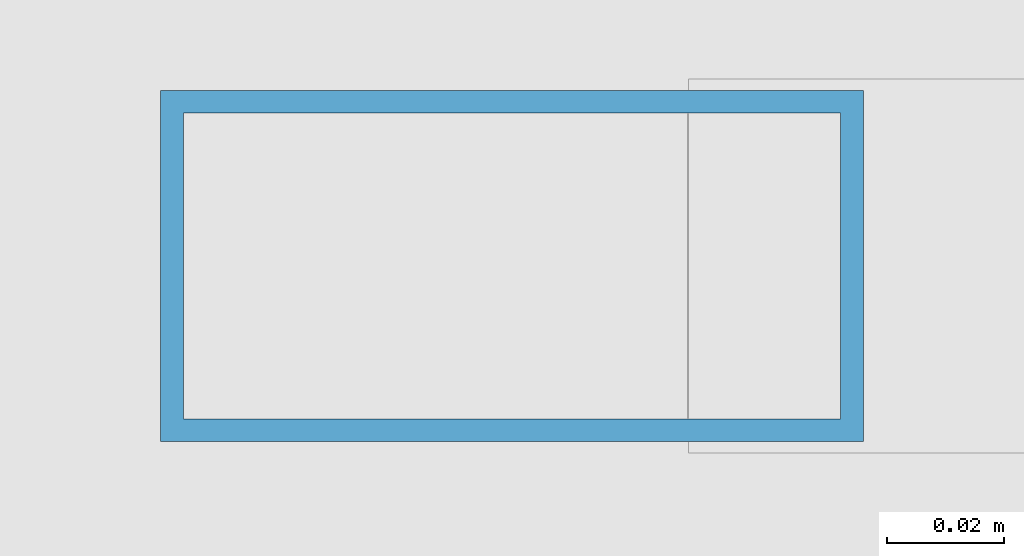
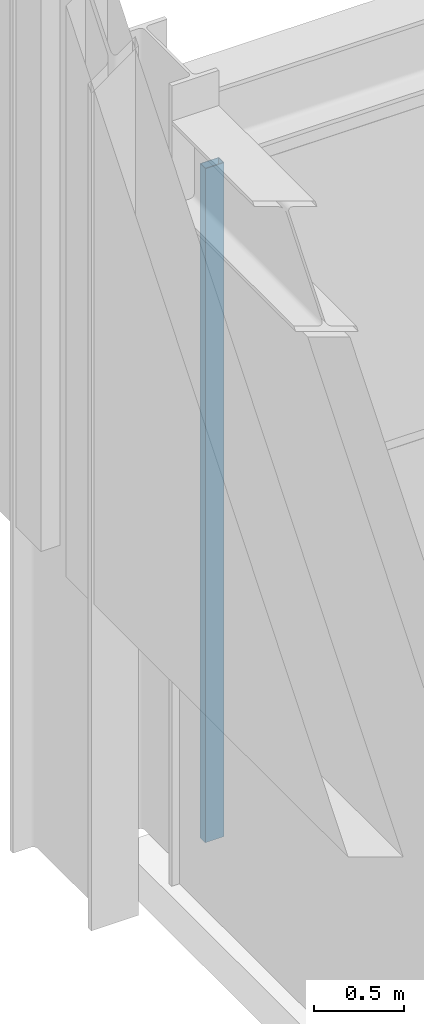
# One storey, part 130 of 239: 1 member, 1 element without a shape of its own.
"""IFC4 building model written with IfcOpenShell, lengths in metres."""

import ifcopenshell
import ifcopenshell.guid

model = None  # the IFC model being written
_history = None  # IfcOwnerHistory: only IFC2X3 demands one
_inside = {}  # id of a spatial element -> (the spatial element, [elements in it])
_under = {}  # id of a project, library or spatial element -> (it, [spatial elements below it])
_declared = {}  # id of a project -> (the project, [libraries it declares])
_typed = {}  # id of a type object -> (the type object, [elements of that type])
_made_of = {}  # id of a material, layer set ... -> (it, [elements and type objects made of it])


def new_model(schema):
    """Start an empty IFC model of exactly this schema.

    Asked for "IFC4X3", IfcOpenShell would pick the latest addendum, in which some entities
    have other attributes; the version numbers below select the first issue.
    IFC2X3 requires an IfcOwnerHistory on every rooted entity: one is made here for all.
    """
    global model, _history
    if schema == "IFC4X3":
        model = ifcopenshell.file(schema_version=(4, 3, 0, 0))
    else:
        model = ifcopenshell.file(schema=schema)
    _inside.clear()
    _under.clear()
    _declared.clear()
    _typed.clear()
    _made_of.clear()
    _history = None
    if model.schema == "IFC2X3":
        org = make("IfcOrganization", Name="unknown")
        user = make(
            "IfcPersonAndOrganization",
            ThePerson=make("IfcPerson", FamilyName="unknown"),
            TheOrganization=org,
        )
        app = make(
            "IfcApplication",
            ApplicationDeveloper=org,
            Version="unknown",
            ApplicationFullName="unknown",
            ApplicationIdentifier="unknown",
        )
        _history = make(
            "IfcOwnerHistory",
            OwningUser=user,
            OwningApplication=app,
            ChangeAction="ADDED",
            CreationDate=0,
        )
    return model


def make(cls, **values):
    """One entity of the class cls with the attributes given. An attribute that is None is left unset."""
    return model.create_entity(
        cls, **{name: value for name, value in values.items() if value is not None}
    )


def rooted(cls, **values):
    """An entity with a GlobalId (a new one), such as an element, a storey or a relation."""
    return make(cls, GlobalId=ifcopenshell.guid.new(), OwnerHistory=_history, **values)


def si_unit(unit_type, name, prefix=None):
    """IfcSIUnit, for example si_unit("LENGTHUNIT", "METRE", prefix="MILLI")."""
    return make("IfcSIUnit", UnitType=unit_type, Prefix=prefix, Name=name)


def assignment(units):
    """IfcUnitAssignment: the units of a project."""
    return None if units is None else make("IfcUnitAssignment", Units=units)


def point(xyz):
    """IfcCartesianPoint."""
    return None if xyz is None else make("IfcCartesianPoint", Coordinates=xyz)


def direction(xyz):
    """IfcDirection."""
    return None if xyz is None else make("IfcDirection", DirectionRatios=xyz)


def frame(location, z_axis=None, x_axis=None):
    """IfcAxis2Placement3D, a coordinate frame: its origin and axes. An axis left out is left unset."""
    return make(
        "IfcAxis2Placement3D",
        Location=point(location),
        Axis=direction(z_axis),
        RefDirection=direction(x_axis),
    )


def frame_2d(location, x_axis=None):
    """IfcAxis2Placement2D, a coordinate frame in the plane: its origin and x axis."""
    return make(
        "IfcAxis2Placement2D", Location=point(location), RefDirection=direction(x_axis)
    )


def origin():
    """The frame at (0, 0, 0) with its axes left unset."""
    return frame((0.0, 0.0, 0.0))


def origin_2d():
    """The frame at (0, 0) in the plane with its x axis left unset."""
    return frame_2d((0.0, 0.0))


def place(relative_to, where):
    """IfcLocalPlacement: puts the frame where relative to a parent placement (None: the world)."""
    return make(
        "IfcLocalPlacement", PlacementRelTo=relative_to, RelativePlacement=where
    )


def context(
    kind, dimensions, precision=None, world=None, true_north=None, identifier=None
):
    """IfcGeometricRepresentationContext, for example the 3D "Model" context."""
    return make(
        "IfcGeometricRepresentationContext",
        ContextIdentifier=identifier,
        ContextType=kind,
        CoordinateSpaceDimension=dimensions,
        Precision=precision,
        WorldCoordinateSystem=world,
        TrueNorth=true_north,
    )


def subcontext(parent, identifier, kind, view, scale=None):
    """IfcGeometricRepresentationSubContext, for example "Body" below "Model"."""
    return make(
        "IfcGeometricRepresentationSubContext",
        ContextIdentifier=identifier,
        ContextType=kind,
        ParentContext=parent,
        TargetScale=scale,
        TargetView=view,
    )


def project(units=None, contexts=None):
    """IfcProject with its units and contexts."""
    return rooted(
        "IfcProject",
        Name="project",
        RepresentationContexts=contexts,
        UnitsInContext=assignment(units),
    )


def spatial(cls, under=None, at=None, **own):
    """A site, building, storey or space (cls), placed at a placement, below another one or the project."""
    s = rooted(cls, ObjectPlacement=at, **own)
    if under is not None:
        _under.setdefault(under.id(), (under, []))[1].append(s)
    return s


def profile(cls, at=None, kind="AREA", **sizes):
    """A parametric profile (cls). Its sizes go by their IFC names, for example OverallWidth=200.0."""
    return make(cls, ProfileType=kind, Position=at, **sizes)


def hollow_rectangle(**sizes):
    """IfcRectangleHollowProfileDef."""
    return profile("IfcRectangleHollowProfileDef", **sizes)


def extrude(swept, where, along, depth):
    """IfcExtrudedAreaSolid: the profile swept, set in the frame where, extruded along a direction by depth."""
    return make(
        "IfcExtrudedAreaSolid",
        SweptArea=swept,
        Position=where,
        ExtrudedDirection=direction(along),
        Depth=depth,
    )


def shape(context_of_items, identifier, shape_type, items):
    """IfcShapeRepresentation: the items that make up one representation, for example the "Body"."""
    return make(
        "IfcShapeRepresentation",
        ContextOfItems=context_of_items,
        RepresentationIdentifier=identifier,
        RepresentationType=shape_type,
        Items=items,
    )


def material(Name=None, Category=None):
    """IfcMaterial."""
    return make("IfcMaterial", Name=Name, Category=Category)


def material_profile(
    of_material, cross_section, Name=None, Category=None, Priority=None
):
    """IfcMaterialProfile: a cross section and its material."""
    return make(
        "IfcMaterialProfile",
        Name=Name,
        Material=of_material,
        Profile=cross_section,
        Priority=Priority,
        Category=Category,
    )


def profile_set(profiles, Name=None, composite=None):
    """IfcMaterialProfileSet."""
    return make(
        "IfcMaterialProfileSet",
        Name=Name,
        MaterialProfiles=profiles,
        CompositeProfile=composite,
    )


def made_of(thing, what):
    """Note that an element or type object is made of a material, layer set ...; save() writes the relation."""
    if what is not None:
        _made_of.setdefault(what.id(), (what, []))[1].append(thing)
    return thing


def type_object(cls, material=None, **own):
    """A type object (cls), such as IfcWallType, which elements share."""
    return made_of(rooted(cls, **own), material)


def element(
    cls,
    number,
    at=None,
    inside=None,
    cuts=None,
    type_object=None,
    material=None,
    context=None,
    identifier="Body",
    shape_type=None,
    held_by="IfcProductDefinitionShape",
    body=None,
    shapes=None,
    **own,
):
    """One element of the class cls, such as IfcWall. Its Tag is "e" and its number.

    at: its placement. inside: the storey or other place that contains it. cuts: it is an
    opening in that element (IfcRelVoidsElement). A single representation is given by context,
    identifier, shape_type and body (its items); several are given by shapes. held_by: the class
    of the entity that holds the representations. save() writes the other relations.
    """
    e = rooted(cls, Tag="e%d" % number, ObjectPlacement=at, **own)
    if body is not None:
        shapes = [shape(context, identifier, shape_type, body)]
    if shapes is not None:
        e.Representation = make(held_by, Representations=shapes)
    if inside is not None:
        _inside.setdefault(inside.id(), (inside, []))[1].append(e)
    if cuts is not None:
        rooted(
            "IfcRelVoidsElement", RelatingBuildingElement=cuts, RelatedOpeningElement=e
        )
    if type_object is not None:
        _typed.setdefault(type_object.id(), (type_object, []))[1].append(e)
    return made_of(e, material)


def aggregate(whole, parts):
    """IfcRelAggregates: a whole, such as a stair, and the parts it consists of."""
    return rooted("IfcRelAggregates", RelatingObject=whole, RelatedObjects=parts)


def save(model, path):
    """Write the relations noted so far, then the file.

    IfcRelAggregates (storeys below a building ...), IfcRelContainedInSpatialStructure (elements
    in a storey), IfcRelDefinesByType, IfcRelAssociatesMaterial and IfcRelDeclares: one each for
    every whole, place, type object, material and project.
    """
    for whole, parts in _under.values():
        aggregate(whole, parts)
    for where, things in _inside.values():
        rooted(
            "IfcRelContainedInSpatialStructure",
            RelatedElements=things,
            RelatingStructure=where,
        )
    for kind, things in _typed.values():
        rooted("IfcRelDefinesByType", RelatedObjects=things, RelatingType=kind)
    for what, things in _made_of.values():
        rooted("IfcRelAssociatesMaterial", RelatedObjects=things, RelatingMaterial=what)
    for by, libraries in _declared.values():
        rooted("IfcRelDeclares", RelatingContext=by, RelatedDefinitions=libraries)
    model.write(path)


model = new_model("IFC4")

# Units and contexts
model_context = context("Model", 3, precision=1e-05, world=origin(), true_north=direction((0.0, 1.0)))
body_context = subcontext(model_context, "Body", "Model", "MODEL_VIEW")
ifc_project = project(units=[si_unit("LENGTHUNIT", "METRE"), si_unit("AREAUNIT", "SQUARE_METRE"), si_unit("VOLUMEUNIT", "CUBIC_METRE"), si_unit("PLANEANGLEUNIT", "RADIAN"), si_unit("MASSUNIT", "GRAM", prefix="KILO")], contexts=[model_context])

# Site, building, storey
site_placement = place(None, origin())
site = spatial("IfcSite", under=ifc_project, at=site_placement, CompositionType="ELEMENT")
building_placement = place(site_placement, origin())
building = spatial("IfcBuilding", under=site, at=building_placement, Name="Kaldris Quays Convention Centre", CompositionType="ELEMENT")
storey_placement = place(building_placement, frame((0.0, 0.0, 11.39990234375)))
storey = spatial("IfcBuildingStorey", under=building, at=storey_placement, Name="L02", CompositionType="ELEMENT", Elevation=11.39990234375)

# Curtain wall, member
ifc_material_1 = material(Name="Anodized aluminium AW-6060 and triple glazing", Category="aluminium")
curtain_wall_type = type_object("IfcCurtainWallType", Name="UNITISED CURTAIN WALL CW05", PredefinedType="NOTDEFINED", material=ifc_material_1)
curtain_wall_placement = place(storey_placement, origin())
curtain_wall = element("IfcCurtainWall", 1, at=curtain_wall_placement, inside=storey, type_object=curtain_wall_type, Name="L02 Unitised Curtain Wall CW05 144", PredefinedType="NOTDEFINED")
ifc_material_2 = material(Name="Anodized aluminium AW-6060", Category="aluminium")
ifc_material_profile = material_profile(ifc_material_2, hollow_rectangle(XDim=0.06005859375, YDim=0.1201171875, WallThickness=0.00390625, at=origin_2d()), Name="RHS 120x60x4")
ifc_profile_set = profile_set([ifc_material_profile], Name="Anodized aluminium AW-6060")
member_type = type_object("IfcMemberType", Name="CURTAIN MULLION CWM3", PredefinedType="MULLION", material=ifc_profile_set)
member_placement = place(storey_placement, frame((146.8798828125, 116.0, 0.0), z_axis=(0.0, 0.0, 1.0), x_axis=(0.0, 1.0, 0.0)))
member = element("IfcMember", 2, at=member_placement, type_object=member_type, Name="CW05 mullion 1", PredefinedType="MULLION", context=body_context, shape_type="SweptSolid", body=[
    extrude(hollow_rectangle(XDim=0.06005859375, YDim=0.1201171875, WallThickness=0.00390625, at=origin_2d()), origin(), (0.0, 0.0, 1.0), 4.548095703125),
])
aggregate(curtain_wall, [member])

save(model, "model.ifc")
